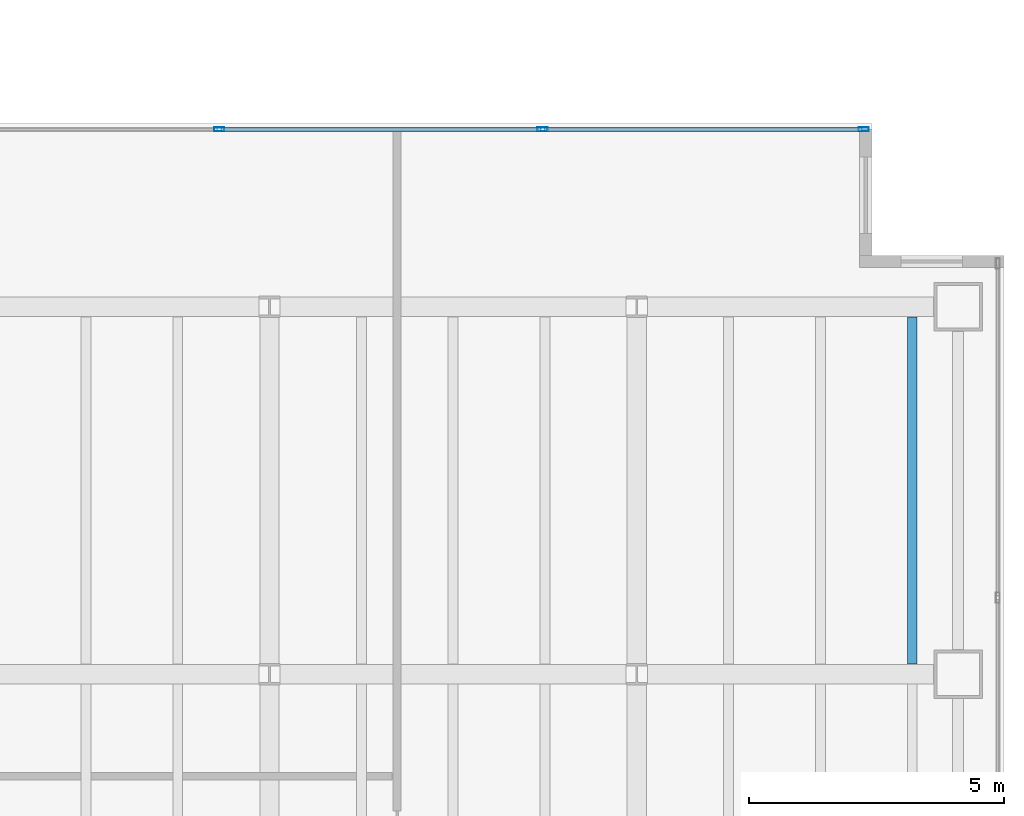
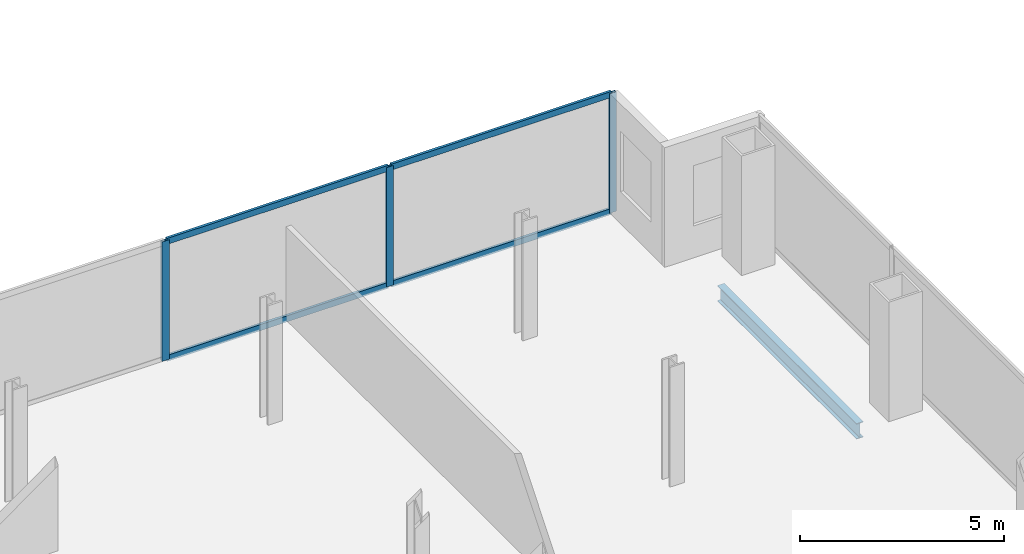
# One storey, part 12 of 23: 7 members, 1 beam, 1 element without a shape of its own.
"""IFC4 building model written with IfcOpenShell, lengths in metres."""

from ifc_helpers import new_model, si_unit, direction, frame, origin, origin_2d, place, context, subcontext, project, spatial, hollow_rectangle, i_section, extrude, material, material_profile, profile_set, type_object, element, aggregate, save


model = new_model("IFC4")

# Units and contexts
model_context = context("Model", 3, precision=1e-05, world=origin(), true_north=direction((0.0, 1.0)))
body_context = subcontext(model_context, "Body", "Model", "MODEL_VIEW")
ifc_project = project(units=[si_unit("LENGTHUNIT", "METRE"), si_unit("AREAUNIT", "SQUARE_METRE"), si_unit("VOLUMEUNIT", "CUBIC_METRE"), si_unit("PLANEANGLEUNIT", "RADIAN"), si_unit("MASSUNIT", "GRAM", prefix="KILO")], contexts=[model_context])

# Site, building, storey
site_placement = place(None, origin())
site = spatial("IfcSite", under=ifc_project, at=site_placement, CompositionType="ELEMENT")
building_placement = place(site_placement, origin())
building = spatial("IfcBuilding", under=site, at=building_placement, Name="Cobrela Telecom Tower", CompositionType="ELEMENT")
storey_placement = place(building_placement, frame((0.0, 0.0, 88.89990234375)))
storey = spatial("IfcBuildingStorey", under=building, at=storey_placement, Name="L22", CompositionType="ELEMENT", Elevation=88.89990234375)

# Beam
ifc_material_1 = material(Name="Steel ASTM A992 Grade 50", Category="steel")
ifc_material_profile_1 = material_profile(ifc_material_1, i_section(OverallWidth=0.193115234375, OverallDepth=0.467041015625, WebThickness=0.011474609375, FlangeThickness=0.01904296875, FilletRadius=0.012939453125, at=origin_2d()), Name="W18X65")
ifc_profile_set_1 = profile_set([ifc_material_profile_1], Name="Steel ASTM A992 Grade 50")
beam_type = type_object("IfcBeamType", Name="BM-JOIST-03", PredefinedType="JOIST", material=ifc_profile_set_1)
beam_placement = place(storey_placement, frame((48.60009765625, 14.595458984375, -0.513427734375), z_axis=(0.0, 1.0, 0.0), x_axis=(-1.0, 0.0, 0.0)))
element("IfcBeam", 1, at=beam_placement, inside=storey, type_object=beam_type, Name="L22 Secondary Composite Floor Beam J64", PredefinedType="JOIST", context=body_context, shape_type="SweptSolid", body=[
    extrude(i_section(OverallWidth=0.193115234375, OverallDepth=0.467041015625, WebThickness=0.011474609375, FlangeThickness=0.01904296875, FilletRadius=0.012939453125, at=origin_2d()), origin(), (0.0, 0.0, 1.0), 6.80908203125),
])

# Curtain wall, members
ifc_material_2 = material(Name="Anodized Bronze Aluminium 6063-T6", Category="aluminium")
curtain_wall_type = type_object("IfcCurtainWallType", Name="CW-SYS-DATA", PredefinedType="USERDEFINED", material=ifc_material_2)
curtain_wall_placement = place(storey_placement, origin())
curtain_wall = element("IfcCurtainWall", 2, at=curtain_wall_placement, inside=storey, type_object=curtain_wall_type, Name="L22 Unitised Bronze Curtain Wall 11", ObjectType="UNITISED CURTAIN WALL", PredefinedType="USERDEFINED")
ifc_material_profile_2 = material_profile(ifc_material_2, hollow_rectangle(XDim=0.080078125, YDim=0.199951171875, WallThickness=0.00390625, at=origin_2d()), Name="ALU 80x200x4")
ifc_profile_set_2 = profile_set([ifc_material_profile_2], Name="Anodized Bronze Aluminium 6063-T6")
member_type_1 = type_object("IfcMemberType", Name="CW-SYS-DATA-MUL", PredefinedType="MULLION", material=ifc_profile_set_2)
member_1_placement = place(storey_placement, frame((35.0166015625, 25.080078125, 0.0), z_axis=(0.0, 0.0, 1.0), x_axis=(0.0, 1.0, 0.0)))
member_1 = element("IfcMember", 3, at=member_1_placement, type_object=member_type_1, Name="CW-DATA mullion 2", PredefinedType="MULLION", context=body_context, shape_type="SweptSolid", body=[
    extrude(hollow_rectangle(XDim=0.080078125, YDim=0.199951171875, WallThickness=0.00390625, at=origin_2d()), origin(), (0.0, 0.0, 1.0), 3.570068359375),
])
member_2_placement = place(storey_placement, frame((41.353271484375, 25.080078125, 0.0), z_axis=(0.0, 0.0, 1.0), x_axis=(0.0, 1.0, 0.0)))
member_2 = element("IfcMember", 4, at=member_2_placement, type_object=member_type_1, Name="CW-DATA mullion 3", PredefinedType="MULLION", context=body_context, shape_type="SweptSolid", body=[
    extrude(hollow_rectangle(XDim=0.080078125, YDim=0.199951171875, WallThickness=0.00390625, at=origin_2d()), origin(), (0.0, 0.0, 1.0), 3.570068359375),
])
member_3_placement = place(storey_placement, frame((47.64990234375, 25.080078125, 0.0), z_axis=(0.0, 0.0, 1.0), x_axis=(0.0, 1.0, 0.0)))
member_3 = element("IfcMember", 5, at=member_3_placement, type_object=member_type_1, Name="CW-DATA mullion 4", PredefinedType="MULLION", context=body_context, shape_type="SweptSolid", body=[
    extrude(hollow_rectangle(XDim=0.080078125, YDim=0.199951171875, WallThickness=0.00390625, at=origin_2d()), origin(), (0.0, 0.0, 1.0), 3.570068359375),
])
ifc_material_profile_3 = material_profile(ifc_material_2, hollow_rectangle(XDim=0.074951171875, YDim=0.179931640625, WallThickness=0.00390625, at=origin_2d()), Name="ALU 75x180x4")
ifc_profile_set_3 = profile_set([ifc_material_profile_3], Name="Anodized Bronze Aluminium 6063-T6")
member_type_2 = type_object("IfcMemberType", Name="CW-SYS-DATA-TRN", PredefinedType="USERDEFINED", material=ifc_profile_set_3)
member_4_placement = place(storey_placement, frame((35.056640625, 25.080078125, 0.03759765625), z_axis=(1.0, 0.0, 0.0), x_axis=(0.0, 1.0, 0.0)))
member_4 = element("IfcMember", 6, at=member_4_placement, type_object=member_type_2, Name="CW-DATA transom 2.1", ObjectType="TRANSOM", PredefinedType="USERDEFINED", context=body_context, shape_type="SweptSolid", body=[
    extrude(hollow_rectangle(XDim=0.074951171875, YDim=0.179931640625, WallThickness=0.00390625, at=origin_2d()), origin(), (0.0, 0.0, 1.0), 6.256591796875),
])
member_5_placement = place(storey_placement, frame((35.056640625, 25.080078125, 3.53271484375), z_axis=(1.0, 0.0, 0.0), x_axis=(0.0, 1.0, 0.0)))
member_5 = element("IfcMember", 7, at=member_5_placement, type_object=member_type_2, Name="CW-DATA transom 2.2", ObjectType="TRANSOM", PredefinedType="USERDEFINED", context=body_context, shape_type="SweptSolid", body=[
    extrude(hollow_rectangle(XDim=0.074951171875, YDim=0.179931640625, WallThickness=0.00390625, at=origin_2d()), origin(), (0.0, 0.0, 1.0), 6.256591796875),
])
member_6_placement = place(storey_placement, frame((41.393310546875, 25.080078125, 0.03759765625), z_axis=(1.0, 0.0, 0.0), x_axis=(0.0, 1.0, 0.0)))
member_6 = element("IfcMember", 8, at=member_6_placement, type_object=member_type_2, Name="CW-DATA transom 3.1", ObjectType="TRANSOM", PredefinedType="USERDEFINED", context=body_context, shape_type="SweptSolid", body=[
    extrude(hollow_rectangle(XDim=0.074951171875, YDim=0.179931640625, WallThickness=0.00390625, at=origin_2d()), origin(), (0.0, 0.0, 1.0), 6.216796875),
])
member_7_placement = place(storey_placement, frame((41.393310546875, 25.080078125, 3.53271484375), z_axis=(1.0, 0.0, 0.0), x_axis=(0.0, 1.0, 0.0)))
member_7 = element("IfcMember", 9, at=member_7_placement, type_object=member_type_2, Name="CW-DATA transom 3.2", ObjectType="TRANSOM", PredefinedType="USERDEFINED", context=body_context, shape_type="SweptSolid", body=[
    extrude(hollow_rectangle(XDim=0.074951171875, YDim=0.179931640625, WallThickness=0.00390625, at=origin_2d()), origin(), (0.0, 0.0, 1.0), 6.216796875),
])
aggregate(curtain_wall, [member_1, member_2, member_3, member_4, member_5, member_6, member_7])

save(model, "model.ifc")
